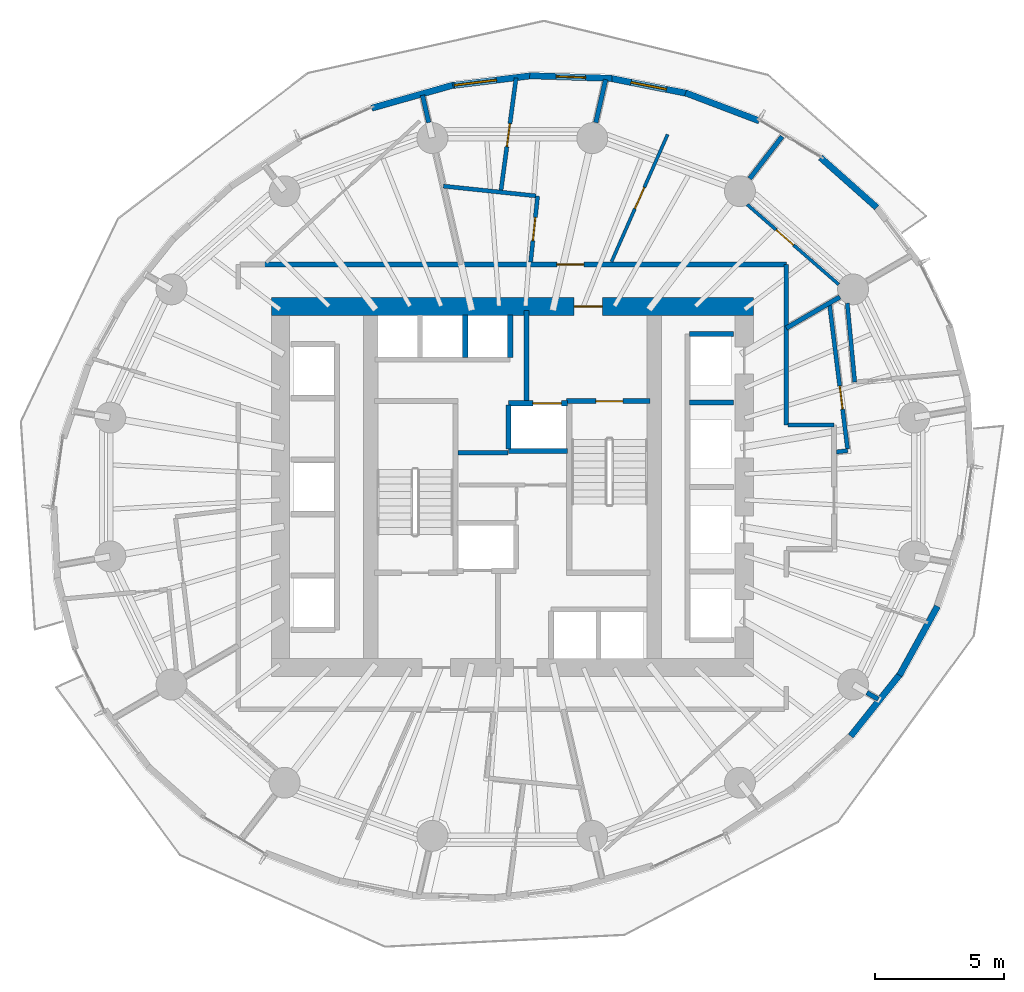
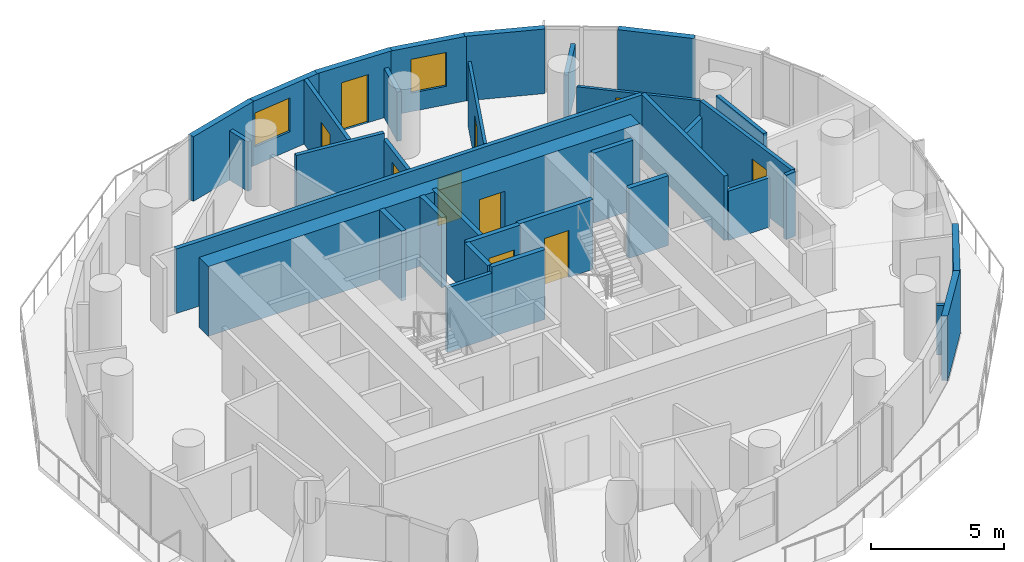
# One storey, part 9 of 14: 35 walls, 10 doors, 2 windows, 12 openings.
"""IFC4 building model written with IfcOpenShell, lengths in metres."""

from ifc_helpers import new_model, si_unit, direction, frame, frame_2d, origin, place, context, subcontext, project, spatial, rectangle, extrude, material, layer, layer_set, type_object, element, fill, save


model = new_model("IFC4")

# Units and contexts
model_context = context("Model", 3, precision=1e-05, world=origin(), true_north=direction((0.0, 1.0)))
body_context = subcontext(model_context, "Body", "Model", "MODEL_VIEW")
ifc_project = project(units=[si_unit("LENGTHUNIT", "METRE"), si_unit("AREAUNIT", "SQUARE_METRE"), si_unit("VOLUMEUNIT", "CUBIC_METRE"), si_unit("PLANEANGLEUNIT", "RADIAN"), si_unit("MASSUNIT", "GRAM", prefix="KILO")], contexts=[model_context])

# Site, building, storey
site_placement = place(None, origin())
site = spatial("IfcSite", under=ifc_project, at=site_placement, CompositionType="ELEMENT")
building_placement = place(site_placement, origin())
building = spatial("IfcBuilding", under=site, at=building_placement, Name="Veldorim Arch Residences", CompositionType="ELEMENT")
storey_placement = place(building_placement, frame((0.0, 0.0, 86.8798828125)))
storey = spatial("IfcBuildingStorey", under=building, at=storey_placement, Name="L25", CompositionType="ELEMENT", Elevation=86.8798828125)

# Wall, opening, door
ifc_material_1 = material(Name="Acoustic Gypsum Board", Category="gypsum")
ifc_layer_1 = layer(ifc_material_1, 0.125, Name="Acoustic Stud Room Partition Wall 125")
ifc_layer_set_1 = layer_set([ifc_layer_1], Name="Acoustic Gypsum Board")
wall_type_1 = type_object("IfcWallType", Name="Acoustic Stud Room Partition Wall 125", PredefinedType="PARTITIONING", material=ifc_layer_set_1)
wall_1_placement = place(storey_placement, frame((38.027099609375, 37.677978515625, 0.0), z_axis=(0.0, 0.0, 1.0), x_axis=(-0.403235845427, -0.91509608947, 0.0)))
wall_1 = element("IfcWall", 1, at=wall_1_placement, inside=storey, type_object=wall_type_1, Name="L25 interior wall WL-RES-L25-029", PredefinedType="PARTITIONING", context=body_context, shape_type="SweptSolid", body=[
    extrude(rectangle(XDim=5.396484375, YDim=0.125, at=frame_2d((2.6982421875, 0.0))), origin(), (0.0, 0.0, 1.0), 2.955078125),
])
opening_1_placement = place(wall_1_placement, frame((2.248046875, 0.0, 0.0)))
opening_1 = element("IfcOpeningElement", 2, at=opening_1_placement, cuts=wall_1, Name="Opening DR-INT", PredefinedType="OPENING", context=body_context, shape_type="SweptSolid", body=[
    extrude(rectangle(XDim=0.89990234375, YDim=2.10009765625, at=frame_2d((0.449951171875, 1.050048828125))), frame((0.0, 0.072509765625, 0.0), z_axis=(0.0, -1.0, 0.0), x_axis=(1.0, 0.0, 0.0)), (0.0, 0.0, 1.0), 0.14501953125),
])
ifc_material_2 = material(Name="Engineered Timber", Category="wood")
door_type_1 = type_object("IfcDoorType", Name="Apartment Internal Room Timber Door 900x2100", OperationType="SINGLE_SWING_LEFT", PredefinedType="DOOR", material=ifc_material_2)
door_1_placement = place(opening_1_placement, origin())
door_1 = element("IfcDoor", 3, at=door_1_placement, inside=storey, type_object=door_type_1, Name="L25 interior door DR-RES-L25-013", OperationType="SINGLE_SWING_LEFT", OverallHeight=2.10009765625, OverallWidth=0.89990234375, PredefinedType="DOOR", context=body_context, shape_type="SweptSolid", body=[
    extrude(rectangle(XDim=0.89990234375, YDim=2.10009765625, at=frame_2d((0.449951171875, 1.050048828125))), frame((0.0, 0.02490234375, 0.0), z_axis=(0.0, -1.0, 0.0), x_axis=(1.0, 0.0, 0.0)), (0.0, 0.0, 1.0), 0.050048828125),
])
fill(opening_1, door_1)

wall_2_placement = place(storey_placement, frame((41.1123046875, 34.959716796875, 0.0), z_axis=(0.0, 0.0, 1.0), x_axis=(0.753425123405, -0.657533712765, 0.0)))
wall_2 = element("IfcWall", 4, at=wall_2_placement, inside=storey, type_object=wall_type_1, Name="L25 interior wall WL-RES-L25-033", PredefinedType="PARTITIONING", context=body_context, shape_type="SweptSolid", body=[
    extrude(rectangle(XDim=4.72021484375, YDim=0.125, at=frame_2d((2.360107421875, 0.0))), origin(), (0.0, 0.0, 1.0), 2.40380859375),
])
opening_2_placement = place(wall_2_placement, frame((1.489990234375, 0.0, 0.0)))
opening_2 = element("IfcOpeningElement", 5, at=opening_2_placement, cuts=wall_2, Name="Opening DR-INT", PredefinedType="OPENING", context=body_context, shape_type="SweptSolid", body=[
    extrude(rectangle(XDim=0.89990234375, YDim=2.10009765625, at=frame_2d((0.449951171875, 1.050048828125))), frame((0.0, 0.072509765625, 0.0), z_axis=(0.0, -1.0, 0.0), x_axis=(1.0, 0.0, 0.0)), (0.0, 0.0, 1.0), 0.14501953125),
])
door_2_placement = place(opening_2_placement, origin())
door_2 = element("IfcDoor", 6, at=door_2_placement, inside=storey, type_object=door_type_1, Name="L25 interior door DR-RES-L25-014", OperationType="SINGLE_SWING_RIGHT", OverallHeight=2.10009765625, OverallWidth=0.89990234375, PredefinedType="DOOR", context=body_context, shape_type="SweptSolid", body=[
    extrude(rectangle(XDim=0.89990234375, YDim=2.10009765625, at=frame_2d((0.449951171875, 1.050048828125))), frame((0.0, 0.02490234375, 0.0), z_axis=(0.0, -1.0, 0.0), x_axis=(1.0, 0.0, 0.0)), (0.0, 0.0, 1.0), 0.050048828125),
])
fill(opening_2, door_2)

# Walls
ifc_material_3 = material(Name="Lightweight Masonry Block & Gypsum", Category="masonry")
ifc_layer_2 = layer(ifc_material_3, 0.179931640625, Name="Compartment & Corridor Fire-Rated Party Wall 180")
ifc_layer_set_2 = layer_set([ifc_layer_2], Name="Lightweight Masonry Block & Gypsum")
wall_type_2 = type_object("IfcWallType", Name="Compartment & Corridor Fire-Rated Party Wall 180", PredefinedType="PARTITIONING", material=ifc_layer_set_2)
wall_3_placement = place(storey_placement, frame((41.2119140625, 35.965576171875, 0.0), z_axis=(0.0, 0.0, 1.0), x_axis=(0.609991040385, 0.792408310564, 0.0)))
element("IfcWall", 7, at=wall_3_placement, inside=storey, type_object=wall_type_2, Name="L25 interior wall WL-PIER-L25-03", PredefinedType="PARTITIONING", context=body_context, shape_type="SweptSolid", body=[
    extrude(rectangle(XDim=2.0625, YDim=0.179931640625, at=frame_2d((1.03125, 0.0))), origin(), (0.0, 0.0, 1.0), 2.2607421875),
])
wall_4_placement = place(storey_placement, frame((35.240478515625, 38.13916015625, 0.0), z_axis=(0.0, 0.0, 1.0), x_axis=(0.223359217097, 0.974736200281, 0.0)))
element("IfcWall", 8, at=wall_4_placement, inside=storey, type_object=wall_type_2, Name="L25 interior wall WL-PIER-L25-04", PredefinedType="PARTITIONING", context=body_context, shape_type="SweptSolid", body=[
    extrude(rectangle(XDim=1.711669921875, YDim=0.179931640625, at=frame_2d((0.85595703125, 0.0))), origin(), (0.0, 0.0, 1.0), 2.2607421875),
])
wall_5_placement = place(storey_placement, frame((28.759521484375, 38.13916015625, 0.0), z_axis=(0.0, 0.0, 1.0), x_axis=(-0.223287406217, 0.974752652843, 0.0)))
element("IfcWall", 9, at=wall_5_placement, inside=storey, type_object=wall_type_2, Name="L25 interior wall WL-PIER-L25-05", PredefinedType="PARTITIONING", context=body_context, shape_type="SweptSolid", body=[
    extrude(rectangle(XDim=1.089111328125, YDim=0.179931640625, at=frame_2d((0.54443359375, 0.0))), origin(), (0.0, 0.0, 1.0), 2.2607421875),
])
wall_6_placement = place(storey_placement, frame((45.756591796875, 16.022216796875, 0.0), z_axis=(0.0, 0.0, 1.0), x_axis=(0.864981735625, -0.501803344981, 0.0)))
element("IfcWall", 10, at=wall_6_placement, inside=storey, type_object=wall_type_2, Name="L25 interior wall WL-PIER-L25-15", PredefinedType="PARTITIONING", context=body_context, shape_type="SweptSolid", body=[
    extrude(rectangle(XDim=0.51416015625, YDim=0.179931640625, at=frame_2d((0.257080078125, 0.0))), origin(), (0.0, 0.0, 1.0), 2.2607421875),
])
wall_7_placement = place(storey_placement, frame((42.6298828125, 32.6298828125, 0.0), z_axis=(0.0, 0.0, 1.0), x_axis=(0.0, -1.0, 0.0)))
element("IfcWall", 11, at=wall_7_placement, inside=storey, type_object=wall_type_2, Name="L25 interior wall WL-RES-L25-008", PredefinedType="PARTITIONING", context=body_context, shape_type="SweptSolid", body=[
    extrude(rectangle(XDim=6.22998046875, YDim=0.179931640625, at=frame_2d((3.114990234375, 0.0))), origin(), (0.0, 0.0, 1.0), 2.955078125),
])

# Wall, opening, door
wall_8_placement = place(storey_placement, frame((22.3505859375, 32.6298828125, 0.0), z_axis=(0.0, 0.0, 1.0), x_axis=(1.0, 0.0, 0.0)))
wall_8 = element("IfcWall", 12, at=wall_8_placement, inside=storey, type_object=wall_type_2, Name="L25 interior wall WL-RES-L25-010", PredefinedType="PARTITIONING", context=body_context, shape_type="SweptSolid", body=[
    extrude(rectangle(XDim=20.279296875, YDim=0.179931640625, at=frame_2d((10.1396484375, 0.0))), origin(), (0.0, 0.0, 1.0), 2.955078125),
])
opening_3_placement = place(wall_8_placement, frame((11.377685546875, 0.0, 0.0)))
opening_3 = element("IfcOpeningElement", 13, at=opening_3_placement, cuts=wall_8, Name="Opening DR-FLT", PredefinedType="OPENING", context=body_context, shape_type="SweptSolid", body=[
    extrude(rectangle(XDim=1.050048828125, YDim=2.14990234375, at=frame_2d((0.52490234375, 1.074951171875))), frame((0.0, 0.099853515625, 0.0), z_axis=(0.0, -1.0, 0.0), x_axis=(1.0, 0.0, 0.0)), (0.0, 0.0, 1.0), 0.199951171875),
])
ifc_material_4 = material(Name="Fire-Rated Timber", Category="wood")
door_type_2 = type_object("IfcDoorType", Name="Apartment Entrance Solid-Core Fire Door 1050x2150", OperationType="SINGLE_SWING_LEFT", PredefinedType="DOOR", material=ifc_material_4)
door_3_placement = place(opening_3_placement, origin())
door_3 = element("IfcDoor", 14, at=door_3_placement, inside=storey, type_object=door_type_2, Name="L25 interior door DR-RES-L25-011", OperationType="SINGLE_SWING_LEFT", OverallHeight=2.14990234375, OverallWidth=1.050048828125, PredefinedType="DOOR", context=body_context, shape_type="SweptSolid", body=[
    extrude(rectangle(XDim=1.050048828125, YDim=2.14990234375, at=frame_2d((0.52490234375, 1.074951171875))), frame((0.0, 0.02490234375, 0.0), z_axis=(0.0, -1.0, 0.0), x_axis=(1.0, 0.0, 0.0)), (0.0, 0.0, 1.0), 0.050048828125),
])
fill(opening_3, door_3)

# Wall
wall_9_placement = place(storey_placement, frame((42.630126953125, 30.16455078125, 0.0), z_axis=(0.0, 0.0, 1.0), x_axis=(0.86502326608, 0.501731750182, 0.0)))
element("IfcWall", 15, at=wall_9_placement, inside=storey, type_object=wall_type_2, Name="L25 interior wall WL-RES-L25-026", PredefinedType="PARTITIONING", context=body_context, shape_type="SweptSolid", body=[
    extrude(rectangle(XDim=2.4072265625, YDim=0.179931640625, at=frame_2d((1.20361328125, 0.0))), origin(), (0.0, 0.0, 1.0), 2.2607421875),
])

# Wall, opening, door
ifc_material_5 = material(Name="Concrete C50/60", Category="concrete")
ifc_layer_3 = layer(ifc_material_5, 0.199951171875, Name="Core Stair & Lift Shaft Enclosure Wall 200")
ifc_layer_set_3 = layer_set([ifc_layer_3], Name="Concrete C50/60")
wall_type_3 = type_object("IfcWallType", Name="Core Stair & Lift Shaft Enclosure Wall 200", PredefinedType="SHEAR", material=ifc_layer_set_3)
wall_10_placement = place(storey_placement, frame((34.110107421875, 27.330078125, 0.0), z_axis=(0.0, 0.0, 1.0), x_axis=(1.0, 0.0, 0.0)))
wall_10 = element("IfcWall", 16, at=wall_10_placement, inside=storey, type_object=wall_type_3, Name="L25 shaft wall WL-SHF-L25-ST2-N", PredefinedType="SHEAR", context=body_context, shape_type="SweptSolid", body=[
    extrude(rectangle(XDim=3.239990234375, YDim=0.199951171875, at=frame_2d((1.6201171875, 0.0))), origin(), (0.0, 0.0, 1.0), 3.2001953125),
])
opening_4_placement = place(wall_10_placement, frame((1.135009765625, 0.0, 0.0)))
opening_4 = element("IfcOpeningElement", 17, at=opening_4_placement, cuts=wall_10, Name="Opening DR-ST", PredefinedType="OPENING", context=body_context, shape_type="SweptSolid", body=[
    extrude(rectangle(XDim=1.050048828125, YDim=2.14990234375, at=frame_2d((0.52490234375, 1.074951171875))), frame((0.0, 0.10986328125, 0.0), z_axis=(0.0, -1.0, 0.0), x_axis=(1.0, 0.0, 0.0)), (0.0, 0.0, 1.0), 0.219970703125),
])
ifc_material_6 = material(Name="Fire-Rated Steel", Category="steel")
door_type_3 = type_object("IfcDoorType", Name="Exit Staircase Self-Closing Fire Door 1050x2150", OperationType="SINGLE_SWING_LEFT", PredefinedType="DOOR", material=ifc_material_6)
door_4_placement = place(opening_4_placement, origin())
door_4 = element("IfcDoor", 18, at=door_4_placement, inside=storey, type_object=door_type_3, Name="L25 interior door DR-L25-ST2", OperationType="SINGLE_SWING_RIGHT", OverallHeight=2.14990234375, OverallWidth=1.050048828125, PredefinedType="DOOR", context=body_context, shape_type="SweptSolid", body=[
    extrude(rectangle(XDim=1.050048828125, YDim=2.14990234375, at=frame_2d((0.52490234375, 1.074951171875))), frame((0.0, 0.02490234375, 0.0), z_axis=(0.0, -1.0, 0.0), x_axis=(1.0, 0.0, 0.0)), (0.0, 0.0, 1.0), 0.050048828125),
])
fill(opening_4, door_4)

# Wall
wall_11_placement = place(storey_placement, frame((32.550048828125, 27.35009765625, 0.0), z_axis=(0.0, 0.0, 1.0), x_axis=(0.0, 1.0, 0.0)))
element("IfcWall", 19, at=wall_11_placement, inside=storey, type_object=wall_type_3, Name="L25 shaft wall WL-FFL2-L25-W", PredefinedType="SHEAR", context=body_context, shape_type="SweptSolid", body=[
    extrude(rectangle(XDim=3.5, YDim=0.199951171875, at=frame_2d((1.75, 0.0))), origin(), (0.0, 0.0, 1.0), 3.2001953125),
])

# Wall, opening, door
wall_12_placement = place(storey_placement, frame((31.85009765625, 27.25, 0.0), z_axis=(0.0, 0.0, 1.0), x_axis=(1.0, 0.0, 0.0)))
wall_12 = element("IfcWall", 20, at=wall_12_placement, inside=storey, type_object=wall_type_3, Name="L25 shaft wall WL-FL02-L25-N", PredefinedType="SHEAR", context=body_context, shape_type="SweptSolid", body=[
    extrude(rectangle(XDim=2.2998046875, YDim=0.199951171875, at=frame_2d((1.14990234375, 0.0))), origin(), (0.0, 0.0, 1.0), 3.2001953125),
])
opening_5_placement = place(wall_12_placement, frame((0.949951171875, 0.0, 0.0)))
opening_5 = element("IfcOpeningElement", 21, at=opening_5_placement, cuts=wall_12, Name="Opening LD-FF", PredefinedType="OPENING", context=body_context, shape_type="SweptSolid", body=[
    extrude(rectangle(XDim=1.10009765625, YDim=2.14990234375, at=frame_2d((0.550048828125, 1.074951171875))), frame((0.0, 0.10986328125, 0.0), z_axis=(0.0, -1.0, 0.0), x_axis=(1.0, 0.0, 0.0)), (0.0, 0.0, 1.0), 0.219970703125),
])
ifc_material_7 = material(Name="Stainless Steel", Category="steel")
door_type_4 = type_object("IfcDoorType", Name="Firefighting Lift Bi-Parting Sliding Landing Door 1100x2150", OperationType="DOUBLE_DOOR_SLIDING", PredefinedType="DOOR", material=ifc_material_7)
door_5_placement = place(opening_5_placement, origin())
door_5 = element("IfcDoor", 22, at=door_5_placement, inside=storey, type_object=door_type_4, Name="L25 lift landing door LD-L25-FL02", OperationType="DOUBLE_DOOR_SLIDING", OverallHeight=2.14990234375, OverallWidth=1.10009765625, PredefinedType="DOOR", context=body_context, shape_type="SweptSolid", body=[
    extrude(rectangle(XDim=1.10009765625, YDim=2.14990234375, at=frame_2d((0.550048828125, 1.074951171875))), frame((0.0, 0.02490234375, 0.0), z_axis=(0.0, -1.0, 0.0), x_axis=(1.0, 0.0, 0.0)), (0.0, 0.0, 1.0), 0.050048828125),
])
fill(opening_5, door_5)

# Walls
wall_13_placement = place(storey_placement, frame((31.85009765625, 25.39990234375, 0.0), z_axis=(0.0, 0.0, 1.0), x_axis=(1.0, 0.0, 0.0)))
element("IfcWall", 23, at=wall_13_placement, inside=storey, type_object=wall_type_3, Name="L25 shaft wall WL-FL02-L25-S", PredefinedType="SHEAR", context=body_context, shape_type="SweptSolid", body=[
    extrude(rectangle(XDim=2.2998046875, YDim=0.199951171875, at=frame_2d((1.14990234375, 0.0))), origin(), (0.0, 0.0, 1.0), 3.2001953125),
])
for number, where, z_axis, x_axis, name in (
    (24, (31.85009765625, 25.469970703125, 0.0), (0.0, 0.0, 1.0), (0.0, 1.0, 0.0), "L25 shaft wall WL-FL02-L25-W"),
    (25, (38.8701171875, 29.93994140625, 0.0), (0.0, 0.0, 1.0), (1.0, 0.0, 0.0), "L25 shaft wall WL-B1-L25-N"),
    (26, (38.8701171875, 27.27490234375, 0.0), (0.0, 0.0, 1.0), (1.0, 0.0, 0.0), "L25 shaft wall WL-B1-L25-D3"),
):
    element("IfcWall", number, at=place(storey_placement, frame(where, z_axis=z_axis, x_axis=x_axis)), inside=storey, type_object=wall_type_3, Name=name, PredefinedType="SHEAR", context=body_context, shape_type="SweptSolid", body=[
        extrude(rectangle(XDim=1.7099609375, YDim=0.199951171875, at=frame_2d((0.85498046875, 0.0))), origin(), (0.0, 0.0, 1.0), 3.2001953125),
    ])
for number, where, z_axis, x_axis, name in (
    (27, (31.919921875, 29.02001953125, 0.0), (0.0, 0.0, 1.0), (0.0, 1.0, 0.0), "L25 shaft wall WL-B3-L25-E"),
    (28, (30.175048828125, 29.02001953125, 0.0), (0.0, 0.0, 1.0), (0.0, 1.0, 0.0), "L25 shaft wall WL-B3-L25-D2"),
):
    element("IfcWall", number, at=place(storey_placement, frame(where, z_axis=z_axis, x_axis=x_axis)), inside=storey, type_object=wall_type_3, Name=name, PredefinedType="SHEAR", context=body_context, shape_type="SweptSolid", body=[
        extrude(rectangle(XDim=1.659912109375, YDim=0.199951171875, at=frame_2d((0.830078125, 0.0))), origin(), (0.0, 0.0, 1.0), 3.2001953125),
    ])

# Wall, opening, door
ifc_material_8 = material(Name="Concrete C60/75", Category="concrete")
ifc_layer_4 = layer(ifc_material_8, 0.699951171875, Name="Mid-Lower Central Core Shear Wall 700")
ifc_layer_set_4 = layer_set([ifc_layer_4], Name="Concrete C60/75")
wall_type_4 = type_object("IfcWallType", Name="Mid-Lower Central Core Shear Wall 700", PredefinedType="SHEAR", material=ifc_layer_set_4)
wall_14_placement = place(storey_placement, frame((22.64990234375, 31.0, 0.0), z_axis=(0.0, 0.0, 1.0), x_axis=(1.0, 0.0, 0.0)))
wall_14 = element("IfcWall", 29, at=wall_14_placement, inside=storey, type_object=wall_type_4, Name="L25 central core north shear wall", PredefinedType="SHEAR", context=body_context, shape_type="SweptSolid", body=[
    extrude(rectangle(XDim=18.7001953125, YDim=0.699951171875, at=frame_2d((9.35009765625, 0.0))), origin(), (0.0, 0.0, 1.0), 3.2001953125),
])
opening_6_placement = place(wall_14_placement, frame((11.75, 0.0, 0.0)))
opening_6 = element("IfcOpeningElement", 30, at=opening_6_placement, cuts=wall_14, Name="Opening DR-FFL", PredefinedType="OPENING", context=body_context, shape_type="SweptSolid", body=[
    extrude(rectangle(XDim=1.10009765625, YDim=2.14990234375, at=frame_2d((0.550048828125, 1.074951171875))), frame((0.0, 0.35986328125, 0.0), z_axis=(0.0, -1.0, 0.0), x_axis=(1.0, 0.0, 0.0)), (0.0, 0.0, 1.0), 0.719970703125),
])
ifc_material_9 = material(Name="Fire-Rated Steel & Vision Glass", Category="steel")
door_type_5 = type_object("IfcDoorType", Name="Firefighting Lobby Smoke-Stop Fire Door 1100x2150", OperationType="SINGLE_SWING_LEFT", PredefinedType="DOOR", material=ifc_material_9)
door_6_placement = place(opening_6_placement, origin())
door_6 = element("IfcDoor", 31, at=door_6_placement, inside=storey, type_object=door_type_5, Name="L25 interior door DR-L25-FFL2", OperationType="SINGLE_SWING_LEFT", OverallHeight=2.14990234375, OverallWidth=1.10009765625, PredefinedType="DOOR", context=body_context, shape_type="SweptSolid", body=[
    extrude(rectangle(XDim=1.10009765625, YDim=2.14990234375, at=frame_2d((0.550048828125, 1.074951171875))), frame((0.0, 0.02490234375, 0.0), z_axis=(0.0, -1.0, 0.0), x_axis=(1.0, 0.0, 0.0)), (0.0, 0.0, 1.0), 0.050048828125),
])
fill(opening_6, door_6)

# Walls
ifc_material_10 = material(Name="Precast concrete C40/50", Category="concrete")
ifc_layer_5 = layer(ifc_material_10, 0.25, Name="Tower Terracotta Spandrel & Pier Wall 250")
ifc_layer_set_5 = layer_set([ifc_layer_5], Name="Precast concrete C40/50")
wall_type_5 = type_object("IfcWallType", Name="Tower Terracotta Spandrel & Pier Wall 250", PredefinedType="SOLIDWALL", material=ifc_layer_set_5)
wall_15_placement = place(storey_placement, frame((43.956787109375, 36.784423828125, 0.0), z_axis=(0.0, 0.0, 1.0), x_axis=(0.747828492436, -0.663891968547, 0.0)))
element("IfcWall", 32, at=wall_15_placement, inside=storey, type_object=wall_type_5, Name="L25 terracotta facade wall 03", PredefinedType="SOLIDWALL", context=body_context, shape_type="SweptSolid", body=[
    extrude(rectangle(XDim=2.923095703125, YDim=0.25, at=frame_2d((1.46142578125, 0.0))), origin(), (0.0, 0.0, 1.0), 2.960205078125),
])
wall_16_placement = place(storey_placement, frame((38.72412109375, 39.29296875, 0.0), z_axis=(0.0, 0.0, 1.0), x_axis=(0.934815891493, -0.355132720277, 0.0)))
element("IfcWall", 33, at=wall_16_placement, inside=storey, type_object=wall_type_5, Name="L25 terracotta facade wall 05", PredefinedType="SOLIDWALL", context=body_context, shape_type="SweptSolid", body=[
    extrude(rectangle(XDim=3.060546875, YDim=0.25, at=frame_2d((1.5302734375, 0.0))), origin(), (0.0, 0.0, 1.0), 2.960205078125),
])

# Wall, opening, window
wall_17_placement = place(storey_placement, frame((35.75830078125, 39.8671875, 0.0), z_axis=(0.0, 0.0, 1.0), x_axis=(0.981187677549, -0.193056316721, 0.0)))
wall_17 = element("IfcWall", 34, at=wall_17_placement, inside=storey, type_object=wall_type_5, Name="L25 terracotta facade wall 06", PredefinedType="SOLIDWALL", context=body_context, shape_type="SweptSolid", body=[
    extrude(rectangle(XDim=3.131103515625, YDim=0.25, at=frame_2d((1.5654296875, 0.0))), origin(), (0.0, 0.0, 1.0), 2.960205078125),
])
opening_7_placement = place(wall_17_placement, frame((0.865966796875, 0.0, 0.85009765625)))
opening_7 = element("IfcOpeningElement", 35, at=opening_7_placement, cuts=wall_17, Name="Opening WN-02", PredefinedType="OPENING", context=body_context, shape_type="SweptSolid", body=[
    extrude(rectangle(XDim=1.39990234375, YDim=1.550048828125, at=frame_2d((0.699951171875, 0.77490234375))), frame((0.0, 0.135009765625, 0.0), z_axis=(0.0, -1.0, 0.0), x_axis=(1.0, 0.0, 0.0)), (0.0, 0.0, 1.0), 0.27001953125),
])
ifc_material_11 = material(Name="Laminated Low-E Glass", Category="glass")
window_type_1 = type_object("IfcWindowType", Name="Residential Casement Window 1400x1550", PartitioningType="SINGLE_PANEL", PredefinedType="WINDOW", material=ifc_material_11)
window_1_placement = place(opening_7_placement, origin())
window_1 = element("IfcWindow", 36, at=window_1_placement, inside=storey, type_object=window_type_1, Name="L25 solar-control facade window 06", OverallHeight=1.550048828125, OverallWidth=1.39990234375, PartitioningType="SINGLE_PANEL", PredefinedType="WINDOW", context=body_context, shape_type="SweptSolid", body=[
    extrude(rectangle(XDim=1.39990234375, YDim=1.550048828125, at=frame_2d((0.699951171875, 0.77490234375))), frame((0.0, 0.030029296875, 0.0), z_axis=(0.0, -1.0, 0.0), x_axis=(1.0, 0.0, 0.0)), (0.0, 0.0, 1.0), 0.06005859375),
])
fill(opening_7, window_1)

# Wall, opening, door
wall_18_placement = place(storey_placement, frame((32.67724609375, 39.959228515625, 0.0), z_axis=(0.0, 0.0, 1.0), x_axis=(0.999464092211, -0.032734208101, 0.0)))
wall_18 = element("IfcWall", 37, at=wall_18_placement, inside=storey, type_object=wall_type_5, Name="L25 terracotta facade wall 07", PredefinedType="SOLIDWALL", context=body_context, shape_type="SweptSolid", body=[
    extrude(rectangle(XDim=3.192138671875, YDim=0.25, at=frame_2d((1.59619140625, 0.0))), origin(), (0.0, 0.0, 1.0), 2.960205078125),
])
opening_8_placement = place(wall_18_placement, frame((1.02099609375, 0.0, 0.0)))
opening_8 = element("IfcOpeningElement", 38, at=opening_8_placement, cuts=wall_18, Name="Opening BL-DR", PredefinedType="OPENING", context=body_context, shape_type="SweptSolid", body=[
    extrude(rectangle(XDim=1.14990234375, YDim=2.199951171875, at=frame_2d((0.574951171875, 1.10009765625))), frame((0.0, 0.135009765625, 0.0), z_axis=(0.0, -1.0, 0.0), x_axis=(1.0, 0.0, 0.0)), (0.0, 0.0, 1.0), 0.27001953125),
])
ifc_material_12 = material(Name="Aluminium & Low-E Glass", Category="aluminium")
door_type_6 = type_object("IfcDoorType", Name="Glazed Planted Balcony Door 1150x2200", OperationType="SINGLE_SWING_LEFT", PredefinedType="DOOR", material=ifc_material_12)
door_7_placement = place(opening_8_placement, origin())
door_7 = element("IfcDoor", 39, at=door_7_placement, inside=storey, type_object=door_type_6, Name="L25 glazed outdoor terrace door BALC-1", OperationType="SINGLE_SWING_LEFT", OverallHeight=2.199951171875, OverallWidth=1.14990234375, PredefinedType="DOOR", context=body_context, shape_type="SweptSolid", body=[
    extrude(rectangle(XDim=1.14990234375, YDim=2.199951171875, at=frame_2d((0.574951171875, 1.10009765625))), frame((0.0, 0.02490234375, 0.0), z_axis=(0.0, -1.0, 0.0), x_axis=(1.0, 0.0, 0.0)), (0.0, 0.0, 1.0), 0.050048828125),
])
fill(opening_8, door_7)

# Wall, opening, window
wall_19_placement = place(storey_placement, frame((29.57470703125, 39.56640625, 0.0), z_axis=(0.0, 0.0, 1.0), x_axis=(0.99241077266, 0.122966899235, 0.0)))
wall_19 = element("IfcWall", 40, at=wall_19_placement, inside=storey, type_object=wall_type_5, Name="L25 terracotta facade wall 08", PredefinedType="SOLIDWALL", context=body_context, shape_type="SweptSolid", body=[
    extrude(rectangle(XDim=3.236328125, YDim=0.25, at=frame_2d((1.6181640625, 0.0))), origin(), (0.0, 0.0, 1.0), 2.960205078125),
])
opening_9_placement = place(wall_19_placement, frame((0.175048828125, 0.0, 0.85009765625)))
opening_9 = element("IfcOpeningElement", 41, at=opening_9_placement, cuts=wall_19, Name="Opening WN-03", PredefinedType="OPENING", context=body_context, shape_type="SweptSolid", body=[
    extrude(rectangle(XDim=1.64990234375, YDim=1.550048828125, at=frame_2d((0.824951171875, 0.77490234375))), frame((0.0, 0.135009765625, 0.0), z_axis=(0.0, -1.0, 0.0), x_axis=(1.0, 0.0, 0.0)), (0.0, 0.0, 1.0), 0.27001953125),
])
ifc_material_13 = material(Name="Laminated Low-E Glass", Category="glass")
window_type_2 = type_object("IfcWindowType", Name="Residential Wide Window 1650x1550", PartitioningType="SINGLE_PANEL", PredefinedType="WINDOW", material=ifc_material_13)
window_2_placement = place(opening_9_placement, origin())
window_2 = element("IfcWindow", 42, at=window_2_placement, inside=storey, type_object=window_type_2, Name="L25 solar-control facade window 08", OverallHeight=1.550048828125, OverallWidth=1.64990234375, PartitioningType="SINGLE_PANEL", PredefinedType="WINDOW", context=body_context, shape_type="SweptSolid", body=[
    extrude(rectangle(XDim=1.64990234375, YDim=1.550048828125, at=frame_2d((0.824951171875, 0.77490234375))), frame((0.0, 0.030029296875, 0.0), z_axis=(0.0, -1.0, 0.0), x_axis=(1.0, 0.0, 0.0)), (0.0, 0.0, 1.0), 0.06005859375),
])
fill(opening_9, window_2)

# Walls
wall_20_placement = place(storey_placement, frame((26.54541015625, 38.699462890625, 0.0), z_axis=(0.0, 0.0, 1.0), x_axis=(0.962134911526, 0.272573681825, 0.0)))
element("IfcWall", 43, at=wall_20_placement, inside=storey, type_object=wall_type_5, Name="L25 terracotta facade wall 09", PredefinedType="SOLIDWALL", context=body_context, shape_type="SweptSolid", body=[
    extrude(rectangle(XDim=3.259521484375, YDim=0.25, at=frame_2d((1.6298828125, 0.0))), origin(), (0.0, 0.0, 1.0), 2.960205078125),
])
wall_21_placement = place(storey_placement, frame((47.083740234375, 16.782958984375, 0.0), z_axis=(0.0, 0.0, 1.0), x_axis=(-0.623134406496, -0.782114768714, 0.0)))
element("IfcWall", 44, at=wall_21_placement, inside=storey, type_object=wall_type_5, Name="L25 terracotta facade wall 31", PredefinedType="SOLIDWALL", context=body_context, shape_type="SweptSolid", body=[
    extrude(rectangle(XDim=3.131103515625, YDim=0.25, at=frame_2d((1.5654296875, 0.0))), origin(), (0.0, 0.0, 1.0), 2.960205078125),
])
wall_22_placement = place(storey_placement, frame((48.500244140625, 19.37109375, 0.0), z_axis=(0.0, 0.0, 1.0), x_axis=(-0.482904421948, -0.875673066426, 0.0)))
element("IfcWall", 45, at=wall_22_placement, inside=storey, type_object=wall_type_5, Name="L25 terracotta facade wall 32", PredefinedType="SOLIDWALL", context=body_context, shape_type="SweptSolid", body=[
    extrude(rectangle(XDim=3.060791015625, YDim=0.25, at=frame_2d((1.5302734375, 0.0))), origin(), (0.0, 0.0, 1.0), 2.960205078125),
])
ifc_material_14 = material(Name="Moisture-Resistant Gypsum & Stud", Category="gypsum")
ifc_layer_6 = layer(ifc_material_14, 0.159912109375, Name="Wet-Area Moisture-Resistant Plumbing Wall 160")
ifc_layer_set_6 = layer_set([ifc_layer_6], Name="Moisture-Resistant Gypsum & Stud")
wall_type_6 = type_object("IfcWallType", Name="Wet-Area Moisture-Resistant Plumbing Wall 160", PredefinedType="PLUMBINGWALL", material=ifc_layer_set_6)
wall_23_placement = place(storey_placement, frame((29.889892578125, 25.330078125, 0.0), z_axis=(0.0, 0.0, 1.0), x_axis=(1.0, 0.0, 0.0)))
element("IfcWall", 46, at=wall_23_placement, inside=storey, type_object=wall_type_6, Name="L25 interior wall WL-CA-L25-N", PredefinedType="PLUMBINGWALL", context=body_context, shape_type="SweptSolid", body=[
    extrude(rectangle(XDim=1.940185546875, YDim=0.159912109375, at=frame_2d((0.97021484375, 0.0))), origin(), (0.0, 0.0, 1.0), 2.955078125),
])
wall_24_placement = place(storey_placement, frame((42.68994140625, 26.39990234375, 0.0), z_axis=(0.0, 0.0, 1.0), x_axis=(1.0, 0.0, 0.0)))
element("IfcWall", 47, at=wall_24_placement, inside=storey, type_object=wall_type_6, Name="L25 interior wall WL-RES-L25-009", PredefinedType="PLUMBINGWALL", context=body_context, shape_type="SweptSolid", body=[
    extrude(rectangle(XDim=1.7900390625, YDim=0.159912109375, at=frame_2d((0.89501953125, 0.0))), origin(), (0.0, 0.0, 1.0), 2.2607421875),
])
wall_25_placement = place(storey_placement, frame((44.99658203125, 31.129638671875, 0.0), z_axis=(0.0, 0.0, 1.0), x_axis=(0.094558062352, -0.995519348302, 0.0)))
element("IfcWall", 48, at=wall_25_placement, inside=storey, type_object=wall_type_6, Name="L25 interior wall WL-RES-L25-021", PredefinedType="PLUMBINGWALL", context=body_context, shape_type="SweptSolid", body=[
    extrude(rectangle(XDim=3.074951171875, YDim=0.159912109375, at=frame_2d((1.53759765625, 0.0))), origin(), (0.0, 0.0, 1.0), 2.955078125),
])
wall_26_placement = place(storey_placement, frame((44.5791015625, 25.3583984375, 0.0), z_axis=(0.0, 0.0, 1.0), x_axis=(0.992294886409, 0.123898581135, 0.0)))
element("IfcWall", 49, at=wall_26_placement, inside=storey, type_object=wall_type_6, Name="L25 interior wall WL-RES-L25-024", PredefinedType="PLUMBINGWALL", context=body_context, shape_type="SweptSolid", body=[
    extrude(rectangle(XDim=0.44140625, YDim=0.159912109375, at=frame_2d((0.220703125, 0.0))), origin(), (0.0, 0.0, 1.0), 2.955078125),
])

# Wall, opening, door
wall_27_placement = place(storey_placement, frame((45.009765625, 25.47265625, 0.0), z_axis=(0.0, 0.0, 1.0), x_axis=(-0.123955741663, 0.992287747636, 0.0)))
wall_27 = element("IfcWall", 50, at=wall_27_placement, inside=storey, type_object=wall_type_6, Name="L25 interior wall WL-RES-L25-025", PredefinedType="PLUMBINGWALL", context=body_context, shape_type="SweptSolid", body=[
    extrude(rectangle(XDim=5.705810546875, YDim=0.159912109375, at=frame_2d((2.85302734375, 0.0))), origin(), (0.0, 0.0, 1.0), 2.955078125),
])
opening_10_placement = place(wall_27_placement, frame((1.56298828125, 0.0, 0.0)))
opening_10 = element("IfcOpeningElement", 51, at=opening_10_placement, cuts=wall_27, Name="Opening DR-INT", PredefinedType="OPENING", context=body_context, shape_type="SweptSolid", body=[
    extrude(rectangle(XDim=0.89990234375, YDim=2.10009765625, at=frame_2d((0.449951171875, 1.050048828125))), frame((0.0, 0.08984375, 0.0), z_axis=(0.0, -1.0, 0.0), x_axis=(1.0, 0.0, 0.0)), (0.0, 0.0, 1.0), 0.179931640625),
])
door_8_placement = place(opening_10_placement, origin())
door_8 = element("IfcDoor", 52, at=door_8_placement, inside=storey, type_object=door_type_1, Name="L25 interior door DR-RES-L25-010", OperationType="SINGLE_SWING_RIGHT", OverallHeight=2.10009765625, OverallWidth=0.89990234375, PredefinedType="DOOR", context=body_context, shape_type="SweptSolid", body=[
    extrude(rectangle(XDim=0.89990234375, YDim=2.10009765625, at=frame_2d((0.449951171875, 1.050048828125))), frame((0.0, 0.02490234375, 0.0), z_axis=(0.0, -1.0, 0.0), x_axis=(1.0, 0.0, 0.0)), (0.0, 0.0, 1.0), 0.050048828125),
])
fill(opening_10, door_8)

wall_28_placement = place(storey_placement, frame((31.552490234375, 35.437744140625, 0.0), z_axis=(0.0, 0.0, 1.0), x_axis=(0.132986130607, 0.991117898671, 0.0)))
wall_28 = element("IfcWall", 53, at=wall_28_placement, inside=storey, type_object=wall_type_6, Name="L25 interior wall WL-RES-L25-028", PredefinedType="PLUMBINGWALL", context=body_context, shape_type="SweptSolid", body=[
    extrude(rectangle(XDim=4.47216796875, YDim=0.159912109375, at=frame_2d((2.236083984375, 0.0))), origin(), (0.0, 0.0, 1.0), 2.955078125),
])
opening_11_placement = place(wall_28_placement, frame((1.785888671875, 0.0, 0.0)))
opening_11 = element("IfcOpeningElement", 54, at=opening_11_placement, cuts=wall_28, Name="Opening DR-WC", PredefinedType="OPENING", context=body_context, shape_type="SweptSolid", body=[
    extrude(rectangle(XDim=0.89990234375, YDim=2.10009765625, at=frame_2d((0.449951171875, 1.050048828125))), frame((0.0, 0.08984375, 0.0), z_axis=(0.0, -1.0, 0.0), x_axis=(1.0, 0.0, 0.0)), (0.0, 0.0, 1.0), 0.179931640625),
])
ifc_material_15 = material(Name="Laminate Timber", Category="wood")
door_type_7 = type_object("IfcDoorType", Name="Bathroom & Accessible WC Moisture-Sealed Door 900x2100", OperationType="SINGLE_SWING_LEFT", PredefinedType="DOOR", material=ifc_material_15)
door_9_placement = place(opening_11_placement, origin())
door_9 = element("IfcDoor", 55, at=door_9_placement, inside=storey, type_object=door_type_7, Name="L25 interior door DR-RES-L25-012", OperationType="SINGLE_SWING_RIGHT", OverallHeight=2.10009765625, OverallWidth=0.89990234375, PredefinedType="DOOR", context=body_context, shape_type="SweptSolid", body=[
    extrude(rectangle(XDim=0.89990234375, YDim=2.10009765625, at=frame_2d((0.449951171875, 1.050048828125))), frame((0.0, 0.02490234375, 0.0), z_axis=(0.0, -1.0, 0.0), x_axis=(1.0, 0.0, 0.0)), (0.0, 0.0, 1.0), 0.050048828125),
])
fill(opening_11, door_9)

wall_29_placement = place(storey_placement, frame((32.712158203125, 32.7294921875, 0.0), z_axis=(0.0, 0.0, 1.0), x_axis=(0.105094954285, 0.994462191631, 0.0)))
wall_29 = element("IfcWall", 56, at=wall_29_placement, inside=storey, type_object=wall_type_6, Name="L25 interior wall WL-RES-L25-030", PredefinedType="PLUMBINGWALL", context=body_context, shape_type="SweptSolid", body=[
    extrude(rectangle(XDim=2.571533203125, YDim=0.159912109375, at=frame_2d((1.28564453125, 0.0))), origin(), (0.0, 0.0, 1.0), 2.6416015625),
])
opening_12_placement = place(wall_29_placement, frame((0.835693359375, 0.0, 0.0)))
opening_12 = element("IfcOpeningElement", 57, at=opening_12_placement, cuts=wall_29, Name="Opening DR-INT", PredefinedType="OPENING", context=body_context, shape_type="SweptSolid", body=[
    extrude(rectangle(XDim=0.89990234375, YDim=2.10009765625, at=frame_2d((0.449951171875, 1.050048828125))), frame((0.0, 0.08984375, 0.0), z_axis=(0.0, -1.0, 0.0), x_axis=(1.0, 0.0, 0.0)), (0.0, 0.0, 1.0), 0.179931640625),
])
door_10_placement = place(opening_12_placement, origin())
door_10 = element("IfcDoor", 58, at=door_10_placement, inside=storey, type_object=door_type_1, Name="L25 interior door DR-RES-L25-015", OperationType="SINGLE_SWING_LEFT", OverallHeight=2.10009765625, OverallWidth=0.89990234375, PredefinedType="DOOR", context=body_context, shape_type="SweptSolid", body=[
    extrude(rectangle(XDim=0.89990234375, YDim=2.10009765625, at=frame_2d((0.449951171875, 1.050048828125))), frame((0.0, 0.02490234375, 0.0), z_axis=(0.0, -1.0, 0.0), x_axis=(1.0, 0.0, 0.0)), (0.0, 0.0, 1.0), 0.050048828125),
])
fill(opening_12, door_10)

# Wall
wall_30_placement = place(storey_placement, frame((32.922607421875, 35.293212890625, 0.0), z_axis=(0.0, 0.0, 1.0), x_axis=(-0.994472124215, 0.105000924563, 0.0)))
element("IfcWall", 59, at=wall_30_placement, inside=storey, type_object=wall_type_6, Name="L25 interior wall WL-RES-L25-031", PredefinedType="PLUMBINGWALL", context=body_context, shape_type="SweptSolid", body=[
    extrude(rectangle(XDim=3.617919921875, YDim=0.159912109375, at=frame_2d((1.80908203125, 0.0))), origin(), (0.0, 0.0, 1.0), 2.955078125),
])

save(model, "model.ifc")
